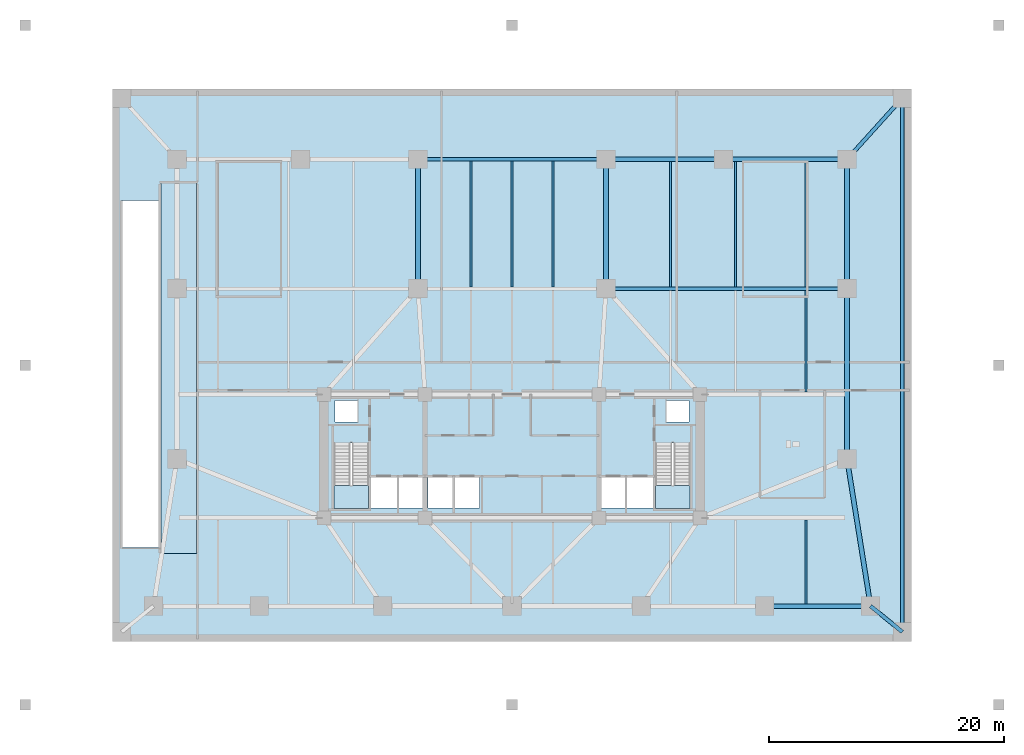
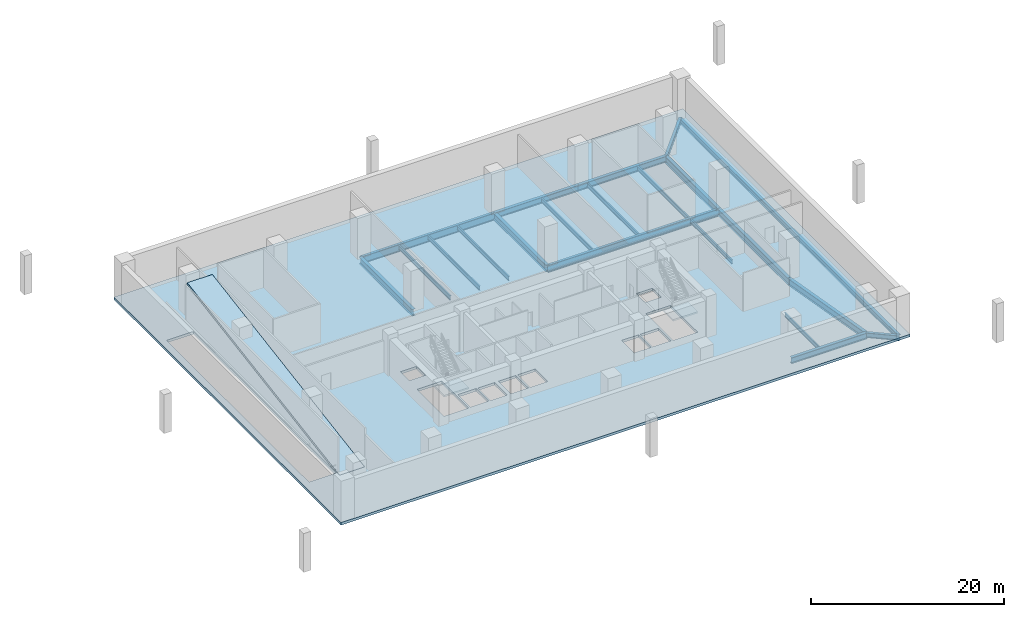
# One storey, part 2 of 9: 21 beams, 4 slabs, 2 elements without a shape of their own.
"""IFC4 building model written with IfcOpenShell, lengths in metres."""

from ifc_helpers import new_model, si_unit, direction, frame, origin, origin_2d, place, context, subcontext, project, spatial, polyline, i_section, outline, extrude, material, layer, layer_set, material_profile, profile_set, type_object, element, aggregate, save


model = new_model("IFC4")

# Units and contexts
model_context = context("Model", 3, precision=1e-05, world=origin(), true_north=direction((0.0, 1.0)))
body_context = subcontext(model_context, "Body", "Model", "MODEL_VIEW")
ifc_project = project(units=[si_unit("LENGTHUNIT", "METRE"), si_unit("AREAUNIT", "SQUARE_METRE"), si_unit("VOLUMEUNIT", "CUBIC_METRE"), si_unit("PLANEANGLEUNIT", "RADIAN"), si_unit("MASSUNIT", "GRAM", prefix="KILO")], contexts=[model_context])

# Site, building, storey
site_placement = place(None, origin())
site = spatial("IfcSite", under=ifc_project, at=site_placement, CompositionType="ELEMENT")
building_placement = place(site_placement, origin())
building = spatial("IfcBuilding", under=site, at=building_placement, Name="Solmavex Isthmus Hotel", CompositionType="ELEMENT")
storey_placement = place(building_placement, frame((0.0, 0.0, -5.199951171875)))
storey = spatial("IfcBuildingStorey", under=building, at=storey_placement, Name="B01", CompositionType="ELEMENT", Elevation=-5.199951171875)

# Beams
ifc_material_1 = material(Name="Steel ASTM A992 Grade 50", Category="steel")
ifc_material_profile_1 = material_profile(ifc_material_1, i_section(OverallWidth=0.380615234375, OverallDepth=0.773193359375, WebThickness=0.0166015625, FlangeThickness=0.027099609375, FilletRadius=0.01904296875, at=origin_2d()), Name="W30X173")
ifc_profile_set_1 = profile_set([ifc_material_profile_1], Name="Steel ASTM A992 Grade 50")
beam_type_1 = type_object("IfcBeamType", Name="BM-BG-W30X173", PredefinedType="BEAM", material=ifc_profile_set_1)
beam_1_placement = place(storey_placement, frame((21.5, -20.5, -0.70654296875), z_axis=(1.0, 0.0, 0.0), x_axis=(0.0, 1.0, 0.0)))
element("IfcBeam", 1, at=beam_1_placement, inside=storey, type_object=beam_type_1, Name="Podium Primary Girder B01-G06", PredefinedType="BEAM", context=body_context, shape_type="SweptSolid", body=[
    extrude(i_section(OverallWidth=0.380615234375, OverallDepth=0.773193359375, WebThickness=0.0166015625, FlangeThickness=0.027099609375, FilletRadius=0.01904296875, at=origin_2d()), origin(), (0.0, 0.0, 1.0), 9.0),
])
beam_2_placement = place(storey_placement, frame((8.0, 17.5, -0.70654296875), z_axis=(1.0, 0.0, 0.0), x_axis=(0.0, 1.0, 0.0)))
element("IfcBeam", 2, at=beam_2_placement, inside=storey, type_object=beam_type_1, Name="Podium Primary Girder B01-G10", PredefinedType="BEAM", context=body_context, shape_type="SweptSolid", body=[
    extrude(i_section(OverallWidth=0.380615234375, OverallDepth=0.773193359375, WebThickness=0.0166015625, FlangeThickness=0.027099609375, FilletRadius=0.01904296875, at=origin_2d()), origin(), (0.0, 0.0, 1.0), 10.0),
])
beam_3_placement = place(storey_placement, frame((18.0, 17.5, -0.70654296875), z_axis=(1.0, 0.0, 0.0), x_axis=(0.0, 1.0, 0.0)))
element("IfcBeam", 3, at=beam_3_placement, inside=storey, type_object=beam_type_1, Name="Podium Primary Girder B01-G11", PredefinedType="BEAM", context=body_context, shape_type="SweptSolid", body=[
    extrude(i_section(OverallWidth=0.380615234375, OverallDepth=0.773193359375, WebThickness=0.0166015625, FlangeThickness=0.027099609375, FilletRadius=0.01904296875, at=origin_2d()), origin(), (0.0, 0.0, 1.0), 10.5),
])
ifc_material_profile_2 = material_profile(ifc_material_1, i_section(OverallWidth=0.39990234375, OverallDepth=0.85546875, WebThickness=0.018310546875, FlangeThickness=0.029296875, FilletRadius=0.020263671875, at=origin_2d()), Name="W33X201")
ifc_profile_set_2 = profile_set([ifc_material_profile_2], Name="Steel ASTM A992 Grade 50")
beam_type_2 = type_object("IfcBeamType", Name="BM-BG-W33X201", PredefinedType="BEAM", material=ifc_profile_set_2)
beam_4_placement = place(storey_placement, frame((30.5, -20.5, -0.747802734375), z_axis=(-0.157990501107, 0.987440631917, 0.0), x_axis=(-0.987440631917, -0.157990501107, 0.0)))
element("IfcBeam", 4, at=beam_4_placement, inside=storey, type_object=beam_type_2, Name="Podium Primary Girder B01-G15", PredefinedType="BEAM", context=body_context, shape_type="SweptSolid", body=[
    extrude(i_section(OverallWidth=0.39990234375, OverallDepth=0.85546875, WebThickness=0.018310546875, FlangeThickness=0.029296875, FilletRadius=0.020263671875, at=origin_2d()), origin(), (0.0, 0.0, 1.0), 12.658935546875),
])
beam_5_placement = place(storey_placement, frame((28.5, -8.0, -0.747802734375), z_axis=(0.0, 1.0, 0.0), x_axis=(-1.0, 0.0, 0.0)))
element("IfcBeam", 5, at=beam_5_placement, inside=storey, type_object=beam_type_2, Name="Podium Primary Girder B01-G16", PredefinedType="BEAM", context=body_context, shape_type="SweptSolid", body=[
    extrude(i_section(OverallWidth=0.39990234375, OverallDepth=0.85546875, WebThickness=0.018310546875, FlangeThickness=0.029296875, FilletRadius=0.020263671875, at=origin_2d()), origin(), (0.0, 0.0, 1.0), 14.5),
])
for number, where, z_axis, x_axis, name in (
    (6, (28.5, 6.5, -0.747802734375), (0.0, 1.0, 0.0), (-1.0, 0.0, 0.0), "Podium Primary Girder B01-G17"),
    (7, (-8.0, 6.5, -0.747802734375), (0.0, 1.0, 0.0), (-1.0, 0.0, 0.0), "Podium Primary Girder B01-G29"),
    (8, (8.0, 6.5, -0.747802734375), (0.0, 1.0, 0.0), (-1.0, 0.0, 0.0), "Podium Primary Girder B01-G30"),
):
    element("IfcBeam", number, at=place(storey_placement, frame(where, z_axis=z_axis, x_axis=x_axis)), inside=storey, type_object=beam_type_2, Name=name, PredefinedType="BEAM", context=body_context, shape_type="SweptSolid", body=[
        extrude(i_section(OverallWidth=0.39990234375, OverallDepth=0.85546875, WebThickness=0.018310546875, FlangeThickness=0.029296875, FilletRadius=0.020263671875, at=origin_2d()), origin(), (0.0, 0.0, 1.0), 11.0),
    ])
ifc_material_profile_3 = material_profile(ifc_material_1, i_section(OverallWidth=0.307861328125, OverallDepth=0.94287109375, WebThickness=0.022216796875, FlangeThickness=0.039794921875, FilletRadius=0.024169921875, at=origin_2d()), Name="W36X232")
ifc_profile_set_3 = profile_set([ifc_material_profile_3], Name="Steel ASTM A992 Grade 50")
beam_type_3 = type_object("IfcBeamType", Name="BM-BG-W36X232", PredefinedType="BEAM", material=ifc_profile_set_3)
beam_6_placement = place(storey_placement, frame((-8.0, 17.5, -0.79150390625), z_axis=(1.0, 0.0, 0.0), x_axis=(0.0, 1.0, 0.0)))
element("IfcBeam", 9, at=beam_6_placement, inside=storey, type_object=beam_type_3, Name="Podium Primary Girder B01-G09", PredefinedType="BEAM", context=body_context, shape_type="SweptSolid", body=[
    extrude(i_section(OverallWidth=0.307861328125, OverallDepth=0.94287109375, WebThickness=0.022216796875, FlangeThickness=0.039794921875, FilletRadius=0.024169921875, at=origin_2d()), origin(), (0.0, 0.0, 1.0), 16.0),
])
beam_7_placement = place(storey_placement, frame((8.0, 6.5, -0.79150390625), z_axis=(1.0, 0.0, 0.0), x_axis=(0.0, 1.0, 0.0)))
element("IfcBeam", 10, at=beam_7_placement, inside=storey, type_object=beam_type_3, Name="Podium Primary Girder B01-G20", PredefinedType="BEAM", context=body_context, shape_type="SweptSolid", body=[
    extrude(i_section(OverallWidth=0.307861328125, OverallDepth=0.94287109375, WebThickness=0.022216796875, FlangeThickness=0.039794921875, FilletRadius=0.024169921875, at=origin_2d()), origin(), (0.0, 0.0, 1.0), 20.5),
])
ifc_material_profile_4 = material_profile(ifc_material_1, i_section(OverallWidth=0.16650390625, OverallDepth=0.534912109375, WebThickness=0.01025390625, FlangeThickness=0.0166015625, FilletRadius=0.013916015625, at=origin_2d()), Name="W21X57")
ifc_profile_set_4 = profile_set([ifc_material_profile_4], Name="Steel ASTM A992 Grade 50")
beam_type_4 = type_object("IfcBeamType", Name="BM-BJ-W21X57", PredefinedType="JOIST", material=ifc_profile_set_4)
for number, where, z_axis, x_axis, name in (
    (11, (-3.5, 6.65380859375, -0.58740234375), (0.0, 1.0, 0.0), (-1.0, 0.0, 0.0), "Podium Composite Floor Joist B01-J12"),
    (12, (0.0, 6.65380859375, -0.58740234375), (0.0, 1.0, 0.0), (-1.0, 0.0, 0.0), "Podium Composite Floor Joist B01-J15"),
    (13, (3.5, 6.65380859375, -0.58740234375), (0.0, 1.0, 0.0), (-1.0, 0.0, 0.0), "Podium Composite Floor Joist B01-J18"),
):
    element("IfcBeam", number, at=place(storey_placement, frame(where, z_axis=z_axis, x_axis=x_axis)), inside=storey, type_object=beam_type_4, Name=name, PredefinedType="JOIST", context=body_context, shape_type="SweptSolid", body=[
        extrude(i_section(OverallWidth=0.16650390625, OverallDepth=0.534912109375, WebThickness=0.01025390625, FlangeThickness=0.0166015625, FilletRadius=0.013916015625, at=origin_2d()), origin(), (0.0, 0.0, 1.0), 10.6923828125),
    ])
for number, where, z_axis, x_axis, name in (
    (14, (13.5, 6.65380859375, -0.58740234375), (0.0, 1.0, 0.0), (-1.0, 0.0, 0.0), "Podium Composite Floor Joist B01-J21"),
    (15, (19.0, 6.65380859375, -0.58740234375), (0.0, 1.0, 0.0), (-1.0, 0.0, 0.0), "Podium Composite Floor Joist B01-J24"),
):
    element("IfcBeam", number, at=place(storey_placement, frame(where, z_axis=z_axis, x_axis=x_axis)), inside=storey, type_object=beam_type_4, Name=name, PredefinedType="JOIST", context=body_context, shape_type="SweptSolid", body=[
        extrude(i_section(OverallWidth=0.16650390625, OverallDepth=0.534912109375, WebThickness=0.01025390625, FlangeThickness=0.0166015625, FilletRadius=0.013916015625, at=origin_2d()), origin(), (0.0, 0.0, 1.0), 10.656005859375),
    ])
beam_8_placement = place(storey_placement, frame((25.0, -20.309814453125, -0.58740234375), z_axis=(0.0, 1.0, 0.0), x_axis=(-1.0, 0.0, 0.0)))
element("IfcBeam", 16, at=beam_8_placement, inside=storey, type_object=beam_type_4, Name="Podium Composite Floor Joist B01-J25", PredefinedType="JOIST", context=body_context, shape_type="SweptSolid", body=[
    extrude(i_section(OverallWidth=0.16650390625, OverallDepth=0.534912109375, WebThickness=0.01025390625, FlangeThickness=0.0166015625, FilletRadius=0.013916015625, at=origin_2d()), origin(), (0.0, 0.0, 1.0), 7.11962890625),
])
beam_9_placement = place(storey_placement, frame((25.0, -2.309814453125, -0.58740234375), z_axis=(0.0, 1.0, 0.0), x_axis=(-1.0, 0.0, 0.0)))
element("IfcBeam", 17, at=beam_9_placement, inside=storey, type_object=beam_type_4, Name="Podium Composite Floor Joist B01-J26", PredefinedType="JOIST", context=body_context, shape_type="SweptSolid", body=[
    extrude(i_section(OverallWidth=0.16650390625, OverallDepth=0.534912109375, WebThickness=0.01025390625, FlangeThickness=0.0166015625, FilletRadius=0.013916015625, at=origin_2d()), origin(), (0.0, 0.0, 1.0), 8.656005859375),
])
beam_10_placement = place(storey_placement, frame((25.0, 6.65380859375, -0.58740234375), z_axis=(0.0, 1.0, 0.0), x_axis=(-1.0, 0.0, 0.0)))
element("IfcBeam", 18, at=beam_10_placement, inside=storey, type_object=beam_type_4, Name="Podium Composite Floor Joist B01-J27", PredefinedType="JOIST", context=body_context, shape_type="SweptSolid", body=[
    extrude(i_section(OverallWidth=0.16650390625, OverallDepth=0.534912109375, WebThickness=0.01025390625, FlangeThickness=0.0166015625, FilletRadius=0.013916015625, at=origin_2d()), origin(), (0.0, 0.0, 1.0), 10.656005859375),
])
ifc_material_profile_5 = material_profile(ifc_material_1, i_section(OverallWidth=0.326416015625, OverallDepth=0.621826171875, WebThickness=0.015380859375, FlangeThickness=0.0244140625, FilletRadius=0.01513671875, at=origin_2d()), Name="W24X131")
ifc_profile_set_5 = profile_set([ifc_material_profile_5], Name="Steel ASTM A992 Grade 50")
beam_type_5 = type_object("IfcBeamType", Name="BM-SP-W24X131", PredefinedType="SPANDREL", material=ifc_profile_set_5)
beam_11_placement = place(storey_placement, frame((30.5, -20.5, -0.630859375), z_axis=(0.77523625691, -0.631671390814, 0.0), x_axis=(0.631671390814, 0.77523625691, 0.0)))
element("IfcBeam", 19, at=beam_11_placement, inside=storey, type_object=beam_type_5, Name="Podium Corner Perimeter Girder B01-CR02", PredefinedType="SPANDREL", context=body_context, shape_type="SweptSolid", body=[
    extrude(i_section(OverallWidth=0.326416015625, OverallDepth=0.621826171875, WebThickness=0.015380859375, FlangeThickness=0.0244140625, FilletRadius=0.01513671875, at=origin_2d()), origin(), (0.0, 0.0, 1.0), 3.482666015625),
])
beam_12_placement = place(storey_placement, frame((33.199951171875, -22.699951171875, -0.630859375), z_axis=(0.0, 1.0, 0.0), x_axis=(-1.0, 0.0, 0.0)))
element("IfcBeam", 20, at=beam_12_placement, inside=storey, type_object=beam_type_5, Name="Podium Corner Perimeter Girder B01-CR04", PredefinedType="SPANDREL", context=body_context, shape_type="SweptSolid", body=[
    extrude(i_section(OverallWidth=0.326416015625, OverallDepth=0.621826171875, WebThickness=0.015380859375, FlangeThickness=0.0244140625, FilletRadius=0.01513671875, at=origin_2d()), origin(), (0.0, 0.0, 1.0), 45.39990234375),
])
beam_13_placement = place(storey_placement, frame((28.5, 17.5, -0.630859375), z_axis=(0.670539300557, 0.741874009795, 0.0), x_axis=(-0.741874009795, 0.670539300557, 0.0)))
element("IfcBeam", 21, at=beam_13_placement, inside=storey, type_object=beam_type_5, Name="Podium Corner Perimeter Girder B01-CR06", PredefinedType="SPANDREL", context=body_context, shape_type="SweptSolid", body=[
    extrude(i_section(OverallWidth=0.326416015625, OverallDepth=0.621826171875, WebThickness=0.015380859375, FlangeThickness=0.0244140625, FilletRadius=0.01513671875, at=origin_2d()), origin(), (0.0, 0.0, 1.0), 7.00927734375),
])

# Slabs
ifc_material_2 = material(Name="Concrete C40/50", Category="concrete")
ifc_layer_1 = layer(ifc_material_2, 0.320068359375)
ifc_layer_set_1 = layer_set([ifc_layer_1], Name="Concrete C40/50")
slab_type_1 = type_object("IfcSlabType", Name="SLAB-B01-320", PredefinedType="FLOOR", material=ifc_layer_set_1)
slab_1_placement = place(storey_placement, frame((0.0, 0.0, -0.320068359375)))
element("IfcSlab", 22, at=slab_1_placement, inside=storey, type_object=slab_type_1, Name="Service Basement Floor Slab B01", PredefinedType="FLOOR", context=body_context, shape_type="SweptSolid", body=[
    extrude(outline(polyline([(-34.0, -23.5), (34.0, -23.5), (34.0, 23.5), (-34.0, 23.5), (-34.0, -23.5)]), holes=[polyline([(-15.14990234375, -6.617919921875), (-15.14990234375, -12.199951171875), (-12.199951171875, -12.199951171875), (-12.199951171875, -6.617919921875), (-15.14990234375, -6.617919921875)]), polyline([(12.199951171875, -6.617919921875), (12.199951171875, -12.199951171875), (15.14990234375, -12.199951171875), (15.14990234375, -6.617919921875), (12.199951171875, -6.617919921875)]), polyline([(-12.0, -12.14990234375), (-9.800048828125, -12.14990234375), (-9.800048828125, -9.550048828125), (-12.0, -9.550048828125), (-12.0, -12.14990234375)]), polyline([(9.800048828125, -12.14990234375), (12.0, -12.14990234375), (12.0, -9.550048828125), (9.800048828125, -9.550048828125), (9.800048828125, -12.14990234375)]), polyline([(-9.60009765625, -12.14990234375), (-7.60009765625, -12.14990234375), (-7.60009765625, -9.550048828125), (-9.60009765625, -9.550048828125), (-9.60009765625, -12.14990234375)]), polyline([(7.60009765625, -12.14990234375), (9.60009765625, -12.14990234375), (9.60009765625, -9.550048828125), (7.60009765625, -9.550048828125), (7.60009765625, -12.14990234375)]), polyline([(-7.14990234375, -12.14990234375), (-5.050048828125, -12.14990234375), (-5.050048828125, -9.550048828125), (-7.14990234375, -9.550048828125), (-7.14990234375, -12.14990234375)]), polyline([(-4.85009765625, -12.14990234375), (-2.75, -12.14990234375), (-2.75, -9.550048828125), (-4.85009765625, -9.550048828125), (-4.85009765625, -12.14990234375)]), polyline([(-33.199951171875, -15.5), (-30.0, -15.5), (-30.0, 14.0), (-33.199951171875, 14.0), (-33.199951171875, -15.5)]), polyline([(-29.860107421875, -16.0), (-26.840087890625, -16.0), (-26.840087890625, -14.219970703125), (-29.860107421875, -14.219970703125), (-29.860107421875, -16.0)]), polyline([(-15.050048828125, -4.85009765625), (-13.14990234375, -4.85009765625), (-13.14990234375, -3.0), (-15.050048828125, -3.0), (-15.050048828125, -4.85009765625)]), polyline([(13.14990234375, -4.85009765625), (15.050048828125, -4.85009765625), (15.050048828125, -3.0), (13.14990234375, -3.0), (13.14990234375, -4.85009765625)])]), origin(), (0.0, 0.0, 1.0), 0.320068359375),
])
ifc_layer_2 = layer(ifc_material_2, 0.280029296875)
ifc_layer_set_2 = layer_set([ifc_layer_2], Name="Concrete C40/50")
slab_type_2 = type_object("IfcSlabType", Name="SLAB-RMP-280", PredefinedType="FLOOR", material=ifc_layer_set_2)
slab_2_placement = place(storey_placement, frame((-29.85009765625, -16.014892578125, 0.0), z_axis=(0.0, -0.162723738296, 0.986671670311), x_axis=(1.0, 0.0, 0.0)))
element("IfcSlab", 23, at=slab_2_placement, inside=storey, type_object=slab_type_2, Name="Vehicular Car-Park Ramp Slab R2 (B01 to L01)", PredefinedType="FLOOR", context=body_context, shape_type="SweptSolid", body=[
    extrude(outline(polyline([(0.0, 0.0), (3.0, 0.0), (3.0, 31.955701278319136), (0.0, 31.955701278319136), (0.0, 0.0)])), origin(), (0.0, 0.0, -1.0), 0.280029296875),
])

# Stair, slab
stair_type_1 = type_object("IfcStairType", Name="STR-ST-1", PredefinedType="HALF_TURN_STAIR", material=ifc_material_2)
stair_1_placement = place(storey_placement, origin())
stair_1 = element("IfcStair", 24, at=stair_1_placement, inside=storey, type_object=stair_type_1, Name="B01 Protected Exit Stair ST-1", PredefinedType="HALF_TURN_STAIR")
ifc_layer_3 = layer(ifc_material_2, 0.219970703125)
ifc_layer_set_3 = layer_set([ifc_layer_3], Name="Concrete C40/50")
slab_type_3 = type_object("IfcSlabType", Name="SLD-ST-1", PredefinedType="LANDING", material=ifc_layer_set_3)
slab_3_placement = place(storey_placement, frame((0.0, 0.0, 2.39990234375)))
slab_3 = element("IfcSlab", 25, at=slab_3_placement, type_object=slab_type_3, Name="ST-1 landing 1", PredefinedType="LANDING", context=body_context, shape_type="SweptSolid", body=[
    extrude(outline(polyline([(-15.14990234375, -10.239990234375), (-15.14990234375, -12.199951171875), (-12.199951171875, -12.199951171875), (-12.199951171875, -10.239990234375), (-15.14990234375, -10.239990234375)])), origin(), (0.0, 0.0, 1.0), 0.199951171875),
])
aggregate(stair_1, [slab_3])

stair_type_2 = type_object("IfcStairType", Name="STR-ST-2", PredefinedType="HALF_TURN_STAIR", material=ifc_material_2)
stair_2_placement = place(storey_placement, origin())
stair_2 = element("IfcStair", 26, at=stair_2_placement, inside=storey, type_object=stair_type_2, Name="B01 Protected Exit Stair ST-2", PredefinedType="HALF_TURN_STAIR")
ifc_layer_4 = layer(ifc_material_2, 0.219970703125)
ifc_layer_set_4 = layer_set([ifc_layer_4], Name="Concrete C40/50")
slab_type_4 = type_object("IfcSlabType", Name="SLD-ST-2", PredefinedType="LANDING", material=ifc_layer_set_4)
slab_4_placement = place(storey_placement, frame((0.0, 0.0, 2.39990234375)))
slab_4 = element("IfcSlab", 27, at=slab_4_placement, type_object=slab_type_4, Name="ST-2 landing 1", PredefinedType="LANDING", context=body_context, shape_type="SweptSolid", body=[
    extrude(outline(polyline([(12.199951171875, -10.239990234375), (12.199951171875, -12.199951171875), (15.14990234375, -12.199951171875), (15.14990234375, -10.239990234375), (12.199951171875, -10.239990234375)])), origin(), (0.0, 0.0, 1.0), 0.199951171875),
])
aggregate(stair_2, [slab_4])

save(model, "model.ifc")
